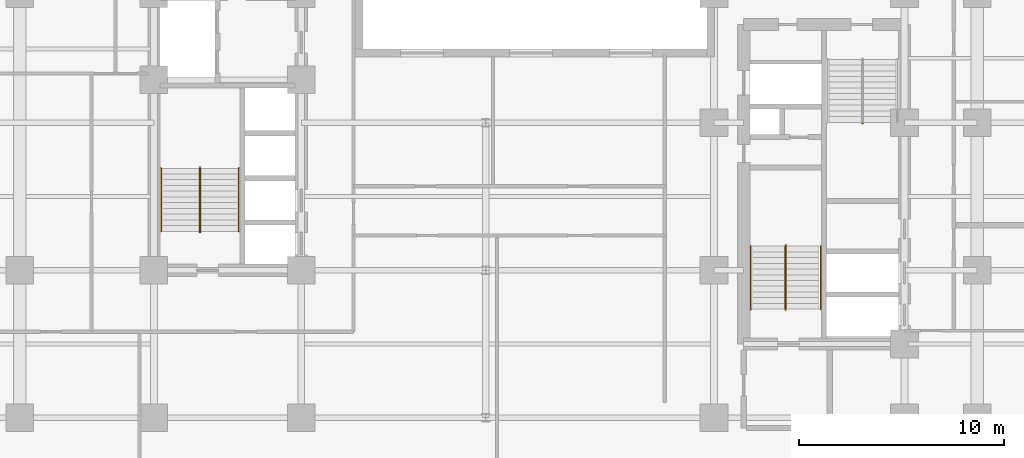
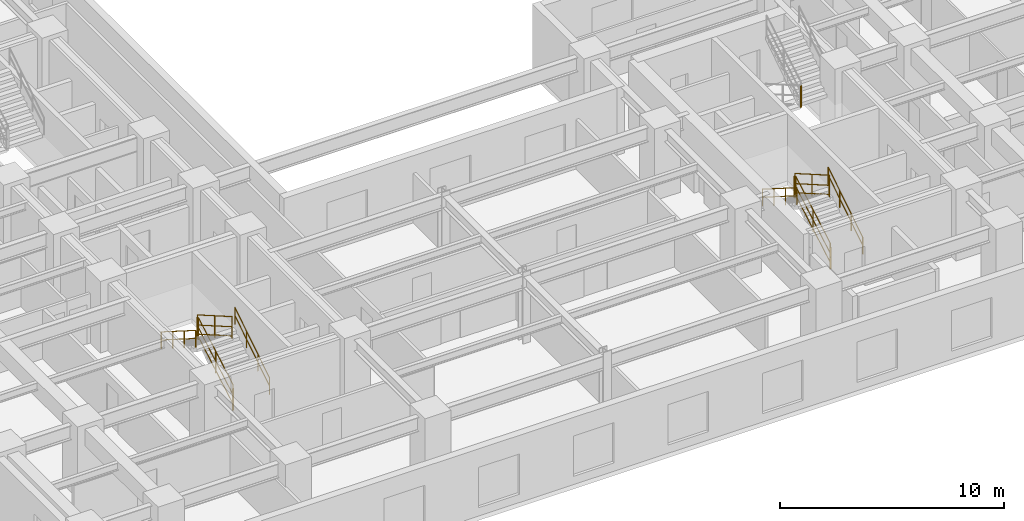
# One storey, part 7 of 9: 13 railings.
"""IFC4 building model written with IfcOpenShell, lengths in metres."""

from ifc_helpers import new_model, entity, si_unit, converted_unit, direction, frame, origin_with_axes, origin_2d_with_axis, place, context, subcontext, project, spatial, rectangle, circle, extrude, material, type_object, element, save


model = new_model("IFC4")

# Units and contexts
model_context = context("Model", 3, precision=1e-05, world=origin_with_axes(), true_north=direction((0.0, 1.0)))
body_context = subcontext(model_context, "Body", "Model", "MODEL_VIEW")
ifc_project = project(units=[si_unit("LENGTHUNIT", "METRE"), si_unit("AREAUNIT", "SQUARE_METRE"), si_unit("VOLUMEUNIT", "CUBIC_METRE"), converted_unit("PLANEANGLEUNIT", "DEGREE", entity("IfcPlaneAngleMeasure", 0.017453292519943295), si_unit("PLANEANGLEUNIT", "RADIAN"), dimensions=[0, 0, 0, 0, 0, 0, 0]), si_unit("MASSUNIT", "GRAM", prefix="KILO"), si_unit("THERMODYNAMICTEMPERATUREUNIT", "KELVIN")], contexts=[model_context])

# Site, building, storey
site_placement = place(None, origin_with_axes())
site = spatial("IfcSite", under=ifc_project, at=site_placement, CompositionType="ELEMENT")
building_placement = place(site_placement, origin_with_axes())
building = spatial("IfcBuilding", under=site, at=building_placement, Name="Varnlund Millrace Tower", CompositionType="ELEMENT")
storey_placement = place(building_placement, frame((0.0, 0.0, 32.7), z_axis=(0.0, 0.0, 1.0), x_axis=(1.0, 0.0, 0.0)))
storey = spatial("IfcBuildingStorey", under=building, at=storey_placement, Name="L07", CompositionType="ELEMENT", Elevation=32.7)

# Railings
ifc_material_1 = material(Name="Painted steel stair well balustrade guard", Category="steel")
railing_type_1 = type_object("IfcRailingType", Name="Type-StairGuard-1150", PredefinedType="GUARDRAIL", material=ifc_material_1)
railing_1_placement = place(storey_placement, frame((0.0, 0.0, -32.7), z_axis=(0.0, 0.0, 1.0), x_axis=(1.0, 0.0, 0.0)))
element("IfcRailing", 1, at=railing_1_placement, inside=storey, type_object=railing_type_1, Name="Type-StairGuard-1150", PredefinedType="GUARDRAIL", context=body_context, shape_type="SweptSolid", body=[
    extrude(circle(Radius=0.024, at=origin_2d_with_axis()), frame((13.675, 12.7, 34.027273), z_axis=(0.0, 0.866696, 0.498836), x_axis=(-1.0, 0.0, 0.0)), (0.0, 0.0, 1.0), 3.553725),
    extrude(circle(Radius=0.024, at=origin_2d_with_axis()), frame((13.675, 12.7, 32.977273), z_axis=(0.0, 0.866696, 0.498836), x_axis=(-1.0, 0.0, 0.0)), (0.0, 0.0, 1.0), 3.553725),
    extrude(circle(Radius=0.024, at=origin_2d_with_axis()), frame((13.675, 12.7, 33.475273), z_axis=(0.0, 0.866696, 0.498836), x_axis=(-1.0, 0.0, 0.0)), (0.0, 0.0, 1.0), 3.553725),
    extrude(rectangle(XDim=0.04, YDim=0.04, at=origin_2d_with_axis()), frame((13.675, 12.7, 32.837273), z_axis=(0.0, 0.0, 1.0), x_axis=(1.0, 0.0, 0.0)), (0.0, 0.0, 1.0), 1.19),
    extrude(rectangle(XDim=0.04, YDim=0.04, at=origin_2d_with_axis()), frame((13.675, 14.24, 33.723637), z_axis=(0.0, 0.0, 1.0), x_axis=(1.0, 0.0, 0.0)), (0.0, 0.0, 1.0), 1.19),
    extrude(rectangle(XDim=0.04, YDim=0.04, at=origin_2d_with_axis()), frame((13.675, 15.78, 34.61), z_axis=(0.0, 0.0, 1.0), x_axis=(1.0, 0.0, 0.0)), (0.0, 0.0, 1.0), 1.19),
])
railing_2_placement = place(storey_placement, frame((0.0, 0.0, -32.7), z_axis=(0.0, 0.0, 1.0), x_axis=(1.0, 0.0, 0.0)))
element("IfcRailing", 2, at=railing_2_placement, inside=storey, type_object=railing_type_1, Name="Type-StairGuard-1150", PredefinedType="GUARDRAIL", context=body_context, shape_type="SweptSolid", body=[
    extrude(circle(Radius=0.024, at=origin_2d_with_axis()), frame((13.625, 15.83, 35.8), z_axis=(1.0, 0.0, 0.0), x_axis=(0.0, 1.0, 0.0)), (0.0, 0.0, 1.0), 0.05),
    extrude(circle(Radius=0.024, at=origin_2d_with_axis()), frame((13.625, 15.83, 34.75), z_axis=(1.0, 0.0, 0.0), x_axis=(0.0, 1.0, 0.0)), (0.0, 0.0, 1.0), 0.05),
    extrude(circle(Radius=0.024, at=origin_2d_with_axis()), frame((13.625, 15.83, 35.248), z_axis=(1.0, 0.0, 0.0), x_axis=(0.0, 1.0, 0.0)), (0.0, 0.0, 1.0), 0.05),
    extrude(rectangle(XDim=0.04, YDim=0.04, at=origin_2d_with_axis()), frame((13.625, 15.83, 34.61), z_axis=(0.0, 0.0, 1.0), x_axis=(1.0, 0.0, 0.0)), (0.0, 0.0, 1.0), 1.19),
    extrude(rectangle(XDim=0.04, YDim=0.04, at=origin_2d_with_axis()), frame((13.675, 15.83, 34.61), z_axis=(0.0, 0.0, 1.0), x_axis=(1.0, 0.0, 0.0)), (0.0, 0.0, 1.0), 1.19),
])
railing_3_placement = place(storey_placement, frame((0.0, 0.0, -32.7), z_axis=(0.0, 0.0, 1.0), x_axis=(1.0, 0.0, 0.0)))
element("IfcRailing", 3, at=railing_3_placement, inside=storey, type_object=railing_type_1, Name="Type-StairGuard-1150", PredefinedType="GUARDRAIL", context=body_context, shape_type="SweptSolid", body=[
    extrude(circle(Radius=0.024, at=origin_2d_with_axis()), frame((13.625, 15.78, 35.977273), z_axis=(0.0, -0.866696, 0.498836), x_axis=(1.0, 0.0, 0.0)), (0.0, 0.0, 1.0), 3.553725),
    extrude(circle(Radius=0.024, at=origin_2d_with_axis()), frame((13.625, 15.78, 34.927273), z_axis=(0.0, -0.866696, 0.498836), x_axis=(1.0, 0.0, 0.0)), (0.0, 0.0, 1.0), 3.553725),
    extrude(circle(Radius=0.024, at=origin_2d_with_axis()), frame((13.625, 15.78, 35.425273), z_axis=(0.0, -0.866696, 0.498836), x_axis=(1.0, 0.0, 0.0)), (0.0, 0.0, 1.0), 3.553725),
    extrude(rectangle(XDim=0.04, YDim=0.04, at=origin_2d_with_axis()), frame((13.625, 15.78, 34.787273), z_axis=(0.0, 0.0, 1.0), x_axis=(1.0, 0.0, 0.0)), (0.0, 0.0, 1.0), 1.19),
    extrude(rectangle(XDim=0.04, YDim=0.04, at=origin_2d_with_axis()), frame((13.625, 14.24, 35.673636), z_axis=(0.0, 0.0, 1.0), x_axis=(1.0, 0.0, 0.0)), (0.0, 0.0, 1.0), 1.19),
    extrude(rectangle(XDim=0.04, YDim=0.04, at=origin_2d_with_axis()), frame((13.625, 12.7, 36.56), z_axis=(0.0, 0.0, 1.0), x_axis=(1.0, 0.0, 0.0)), (0.0, 0.0, 1.0), 1.19),
])
railing_4_placement = place(storey_placement, frame((0.0, 0.0, -32.7), z_axis=(0.0, 0.0, 1.0), x_axis=(1.0, 0.0, 0.0)))
element("IfcRailing", 4, at=railing_4_placement, inside=storey, type_object=railing_type_1, Name="Type-StairGuard-1150", PredefinedType="GUARDRAIL", context=body_context, shape_type="SweptSolid", body=[
    extrude(circle(Radius=0.024, at=origin_2d_with_axis()), frame((13.625, 12.65, 33.85), z_axis=(1.0, 0.0, 0.0), x_axis=(0.0, 1.0, 0.0)), (0.0, 0.0, 1.0), 0.05),
    extrude(circle(Radius=0.024, at=origin_2d_with_axis()), frame((13.625, 12.65, 32.8), z_axis=(1.0, 0.0, 0.0), x_axis=(0.0, 1.0, 0.0)), (0.0, 0.0, 1.0), 0.05),
    extrude(circle(Radius=0.024, at=origin_2d_with_axis()), frame((13.625, 12.65, 33.298), z_axis=(1.0, 0.0, 0.0), x_axis=(0.0, 1.0, 0.0)), (0.0, 0.0, 1.0), 0.05),
    extrude(rectangle(XDim=0.04, YDim=0.04, at=origin_2d_with_axis()), frame((13.625, 12.65, 32.66), z_axis=(0.0, 0.0, 1.0), x_axis=(1.0, 0.0, 0.0)), (0.0, 0.0, 1.0), 1.19),
    extrude(rectangle(XDim=0.04, YDim=0.04, at=origin_2d_with_axis()), frame((13.675, 12.65, 32.66), z_axis=(0.0, 0.0, 1.0), x_axis=(1.0, 0.0, 0.0)), (0.0, 0.0, 1.0), 1.19),
])
railing_5_placement = place(storey_placement, frame((0.0, 0.0, -32.7), z_axis=(0.0, 0.0, 1.0), x_axis=(1.0, 0.0, 0.0)))
element("IfcRailing", 5, at=railing_5_placement, inside=storey, type_object=railing_type_1, Name="Type-StairGuard-1150", PredefinedType="GUARDRAIL", context=body_context, shape_type="SweptSolid", body=[
    extrude(circle(Radius=0.024, at=origin_2d_with_axis()), frame((42.275, 8.9, 34.027273), z_axis=(0.0, 0.866696, 0.498836), x_axis=(-1.0, 0.0, 0.0)), (0.0, 0.0, 1.0), 3.553725),
    extrude(circle(Radius=0.024, at=origin_2d_with_axis()), frame((42.275, 8.9, 32.977273), z_axis=(0.0, 0.866696, 0.498836), x_axis=(-1.0, 0.0, 0.0)), (0.0, 0.0, 1.0), 3.553725),
    extrude(circle(Radius=0.024, at=origin_2d_with_axis()), frame((42.275, 8.9, 33.475273), z_axis=(0.0, 0.866696, 0.498836), x_axis=(-1.0, 0.0, 0.0)), (0.0, 0.0, 1.0), 3.553725),
    extrude(rectangle(XDim=0.04, YDim=0.04, at=origin_2d_with_axis()), frame((42.275, 8.9, 32.837273), z_axis=(0.0, 0.0, 1.0), x_axis=(1.0, 0.0, 0.0)), (0.0, 0.0, 1.0), 1.19),
    extrude(rectangle(XDim=0.04, YDim=0.04, at=origin_2d_with_axis()), frame((42.275, 10.44, 33.723637), z_axis=(0.0, 0.0, 1.0), x_axis=(1.0, 0.0, 0.0)), (0.0, 0.0, 1.0), 1.19),
    extrude(rectangle(XDim=0.04, YDim=0.04, at=origin_2d_with_axis()), frame((42.275, 11.98, 34.61), z_axis=(0.0, 0.0, 1.0), x_axis=(1.0, 0.0, 0.0)), (0.0, 0.0, 1.0), 1.19),
])
railing_6_placement = place(storey_placement, frame((0.0, 0.0, -32.7), z_axis=(0.0, 0.0, 1.0), x_axis=(1.0, 0.0, 0.0)))
element("IfcRailing", 6, at=railing_6_placement, inside=storey, type_object=railing_type_1, Name="Type-StairGuard-1150", PredefinedType="GUARDRAIL", context=body_context, shape_type="SweptSolid", body=[
    extrude(circle(Radius=0.024, at=origin_2d_with_axis()), frame((42.225, 12.03, 35.8), z_axis=(1.0, 0.0, 0.0), x_axis=(0.0, 1.0, 0.0)), (0.0, 0.0, 1.0), 0.05),
    extrude(circle(Radius=0.024, at=origin_2d_with_axis()), frame((42.225, 12.03, 34.75), z_axis=(1.0, 0.0, 0.0), x_axis=(0.0, 1.0, 0.0)), (0.0, 0.0, 1.0), 0.05),
    extrude(circle(Radius=0.024, at=origin_2d_with_axis()), frame((42.225, 12.03, 35.248), z_axis=(1.0, 0.0, 0.0), x_axis=(0.0, 1.0, 0.0)), (0.0, 0.0, 1.0), 0.05),
    extrude(rectangle(XDim=0.04, YDim=0.04, at=origin_2d_with_axis()), frame((42.225, 12.03, 34.61), z_axis=(0.0, 0.0, 1.0), x_axis=(1.0, 0.0, 0.0)), (0.0, 0.0, 1.0), 1.19),
    extrude(rectangle(XDim=0.04, YDim=0.04, at=origin_2d_with_axis()), frame((42.275, 12.03, 34.61), z_axis=(0.0, 0.0, 1.0), x_axis=(1.0, 0.0, 0.0)), (0.0, 0.0, 1.0), 1.19),
])
railing_7_placement = place(storey_placement, frame((0.0, 0.0, -32.7), z_axis=(0.0, 0.0, 1.0), x_axis=(1.0, 0.0, 0.0)))
element("IfcRailing", 7, at=railing_7_placement, inside=storey, type_object=railing_type_1, Name="Type-StairGuard-1150", PredefinedType="GUARDRAIL", context=body_context, shape_type="SweptSolid", body=[
    extrude(circle(Radius=0.024, at=origin_2d_with_axis()), frame((42.225, 11.98, 35.977273), z_axis=(0.0, -0.866696, 0.498836), x_axis=(1.0, 0.0, 0.0)), (0.0, 0.0, 1.0), 3.553725),
    extrude(circle(Radius=0.024, at=origin_2d_with_axis()), frame((42.225, 11.98, 34.927273), z_axis=(0.0, -0.866696, 0.498836), x_axis=(1.0, 0.0, 0.0)), (0.0, 0.0, 1.0), 3.553725),
    extrude(circle(Radius=0.024, at=origin_2d_with_axis()), frame((42.225, 11.98, 35.425273), z_axis=(0.0, -0.866696, 0.498836), x_axis=(1.0, 0.0, 0.0)), (0.0, 0.0, 1.0), 3.553725),
    extrude(rectangle(XDim=0.04, YDim=0.04, at=origin_2d_with_axis()), frame((42.225, 11.98, 34.787273), z_axis=(0.0, 0.0, 1.0), x_axis=(1.0, 0.0, 0.0)), (0.0, 0.0, 1.0), 1.19),
    extrude(rectangle(XDim=0.04, YDim=0.04, at=origin_2d_with_axis()), frame((42.225, 10.44, 35.673636), z_axis=(0.0, 0.0, 1.0), x_axis=(1.0, 0.0, 0.0)), (0.0, 0.0, 1.0), 1.19),
    extrude(rectangle(XDim=0.04, YDim=0.04, at=origin_2d_with_axis()), frame((42.225, 8.9, 36.56), z_axis=(0.0, 0.0, 1.0), x_axis=(1.0, 0.0, 0.0)), (0.0, 0.0, 1.0), 1.19),
])
railing_8_placement = place(storey_placement, frame((0.0, 0.0, -32.7), z_axis=(0.0, 0.0, 1.0), x_axis=(1.0, 0.0, 0.0)))
element("IfcRailing", 8, at=railing_8_placement, inside=storey, type_object=railing_type_1, Name="Type-StairGuard-1150", PredefinedType="GUARDRAIL", context=body_context, shape_type="SweptSolid", body=[
    extrude(circle(Radius=0.024, at=origin_2d_with_axis()), frame((42.225, 8.85, 33.85), z_axis=(1.0, 0.0, 0.0), x_axis=(0.0, 1.0, 0.0)), (0.0, 0.0, 1.0), 0.05),
    extrude(circle(Radius=0.024, at=origin_2d_with_axis()), frame((42.225, 8.85, 32.8), z_axis=(1.0, 0.0, 0.0), x_axis=(0.0, 1.0, 0.0)), (0.0, 0.0, 1.0), 0.05),
    extrude(circle(Radius=0.024, at=origin_2d_with_axis()), frame((42.225, 8.85, 33.298), z_axis=(1.0, 0.0, 0.0), x_axis=(0.0, 1.0, 0.0)), (0.0, 0.0, 1.0), 0.05),
    extrude(rectangle(XDim=0.04, YDim=0.04, at=origin_2d_with_axis()), frame((42.225, 8.85, 32.66), z_axis=(0.0, 0.0, 1.0), x_axis=(1.0, 0.0, 0.0)), (0.0, 0.0, 1.0), 1.19),
    extrude(rectangle(XDim=0.04, YDim=0.04, at=origin_2d_with_axis()), frame((42.275, 8.85, 32.66), z_axis=(0.0, 0.0, 1.0), x_axis=(1.0, 0.0, 0.0)), (0.0, 0.0, 1.0), 1.19),
])
railing_9_placement = place(storey_placement, frame((0.0, 0.0, -32.7), z_axis=(0.0, 0.0, 1.0), x_axis=(1.0, 0.0, 0.0)))
element("IfcRailing", 9, at=railing_9_placement, inside=storey, type_object=railing_type_1, Name="Type-StairGuard-1150", PredefinedType="GUARDRAIL", context=body_context, shape_type="SweptSolid", body=[
    extrude(circle(Radius=0.024, at=origin_2d_with_axis()), frame((46.025, 17.97, 35.8), z_axis=(-1.0, 0.0, 0.0), x_axis=(0.0, -1.0, 0.0)), (0.0, 0.0, 1.0), 0.05),
    extrude(circle(Radius=0.024, at=origin_2d_with_axis()), frame((46.025, 17.97, 34.75), z_axis=(-1.0, 0.0, 0.0), x_axis=(0.0, -1.0, 0.0)), (0.0, 0.0, 1.0), 0.05),
    extrude(circle(Radius=0.024, at=origin_2d_with_axis()), frame((46.025, 17.97, 35.248), z_axis=(-1.0, 0.0, 0.0), x_axis=(0.0, -1.0, 0.0)), (0.0, 0.0, 1.0), 0.05),
    extrude(rectangle(XDim=0.04, YDim=0.04, at=origin_2d_with_axis()), frame((46.025, 17.97, 34.61), z_axis=(0.0, 0.0, 1.0), x_axis=(1.0, 0.0, 0.0)), (0.0, 0.0, 1.0), 1.19),
    extrude(rectangle(XDim=0.04, YDim=0.04, at=origin_2d_with_axis()), frame((45.975, 17.97, 34.61), z_axis=(0.0, 0.0, 1.0), x_axis=(1.0, 0.0, 0.0)), (0.0, 0.0, 1.0), 1.19),
])
ifc_material_2 = material(Name="Brushed architectural bronze stair handrail", Category="aluminium")
railing_type_2 = type_object("IfcRailingType", Name="Type-StairHandrail-900", PredefinedType="HANDRAIL", material=ifc_material_2)
railing_10_placement = place(storey_placement, frame((0.0, 0.0, -32.7), z_axis=(0.0, 0.0, 1.0), x_axis=(1.0, 0.0, 0.0)))
element("IfcRailing", 10, at=railing_10_placement, inside=storey, type_object=railing_type_2, Name="Type-StairHandrail-900", PredefinedType="HANDRAIL", context=body_context, shape_type="SweptSolid", body=[
    extrude(circle(Radius=0.024, at=origin_2d_with_axis()), frame((15.55, 12.7, 33.756995), z_axis=(0.0, 0.844902, 0.534922), x_axis=(-1.0, 0.0, 0.0)), (0.0, 0.0, 1.0), 3.645394),
    extrude(circle(Radius=0.024, at=origin_2d_with_axis()), frame((15.55, 12.7, 33.317134), z_axis=(0.0, 0.844902, 0.534922), x_axis=(-1.0, 0.0, 0.0)), (0.0, 0.0, 1.0), 3.645394),
    extrude(rectangle(XDim=0.04, YDim=0.04, at=origin_2d_with_axis()), frame((15.55, 12.7, 32.837273), z_axis=(0.0, 0.0, 1.0), x_axis=(1.0, 0.0, 0.0)), (0.0, 0.0, 1.0), 0.919722),
    extrude(rectangle(XDim=0.04, YDim=0.04, at=origin_2d_with_axis()), frame((15.55, 13.726667, 33.487273), z_axis=(0.0, 0.0, 1.0), x_axis=(1.0, 0.0, 0.0)), (0.0, 0.0, 1.0), 0.919722),
    extrude(rectangle(XDim=0.04, YDim=0.04, at=origin_2d_with_axis()), frame((15.55, 14.753333, 34.137273), z_axis=(0.0, 0.0, 1.0), x_axis=(1.0, 0.0, 0.0)), (0.0, 0.0, 1.0), 0.919722),
    extrude(rectangle(XDim=0.04, YDim=0.04, at=origin_2d_with_axis()), frame((15.55, 15.78, 34.787273), z_axis=(0.0, 0.0, 1.0), x_axis=(1.0, 0.0, 0.0)), (0.0, 0.0, 1.0), 0.919722),
])
railing_11_placement = place(storey_placement, frame((0.0, 0.0, -32.7), z_axis=(0.0, 0.0, 1.0), x_axis=(1.0, 0.0, 0.0)))
element("IfcRailing", 11, at=railing_11_placement, inside=storey, type_object=railing_type_2, Name="Type-StairHandrail-900", PredefinedType="HANDRAIL", context=body_context, shape_type="SweptSolid", body=[
    extrude(circle(Radius=0.024, at=origin_2d_with_axis()), frame((11.75, 15.78, 35.706995), z_axis=(0.0, -0.844902, 0.534922), x_axis=(1.0, 0.0, 0.0)), (0.0, 0.0, 1.0), 3.645394),
    extrude(circle(Radius=0.024, at=origin_2d_with_axis()), frame((11.75, 15.78, 35.267134), z_axis=(0.0, -0.844902, 0.534922), x_axis=(1.0, 0.0, 0.0)), (0.0, 0.0, 1.0), 3.645394),
    extrude(rectangle(XDim=0.04, YDim=0.04, at=origin_2d_with_axis()), frame((11.75, 15.78, 34.787273), z_axis=(0.0, 0.0, 1.0), x_axis=(1.0, 0.0, 0.0)), (0.0, 0.0, 1.0), 0.919722),
    extrude(rectangle(XDim=0.04, YDim=0.04, at=origin_2d_with_axis()), frame((11.75, 14.753333, 35.437273), z_axis=(0.0, 0.0, 1.0), x_axis=(1.0, 0.0, 0.0)), (0.0, 0.0, 1.0), 0.919722),
    extrude(rectangle(XDim=0.04, YDim=0.04, at=origin_2d_with_axis()), frame((11.75, 13.726667, 36.087273), z_axis=(0.0, 0.0, 1.0), x_axis=(1.0, 0.0, 0.0)), (0.0, 0.0, 1.0), 0.919722),
    extrude(rectangle(XDim=0.04, YDim=0.04, at=origin_2d_with_axis()), frame((11.75, 12.7, 36.737273), z_axis=(0.0, 0.0, 1.0), x_axis=(1.0, 0.0, 0.0)), (0.0, 0.0, 1.0), 0.919722),
])
railing_12_placement = place(storey_placement, frame((0.0, 0.0, -32.7), z_axis=(0.0, 0.0, 1.0), x_axis=(1.0, 0.0, 0.0)))
element("IfcRailing", 12, at=railing_12_placement, inside=storey, type_object=railing_type_2, Name="Type-StairHandrail-900", PredefinedType="HANDRAIL", context=body_context, shape_type="SweptSolid", body=[
    extrude(circle(Radius=0.024, at=origin_2d_with_axis()), frame((43.95, 8.9, 33.756995), z_axis=(0.0, 0.844902, 0.534922), x_axis=(-1.0, 0.0, 0.0)), (0.0, 0.0, 1.0), 3.645394),
    extrude(circle(Radius=0.024, at=origin_2d_with_axis()), frame((43.95, 8.9, 33.317134), z_axis=(0.0, 0.844902, 0.534922), x_axis=(-1.0, 0.0, 0.0)), (0.0, 0.0, 1.0), 3.645394),
    extrude(rectangle(XDim=0.04, YDim=0.04, at=origin_2d_with_axis()), frame((43.95, 8.9, 32.837273), z_axis=(0.0, 0.0, 1.0), x_axis=(1.0, 0.0, 0.0)), (0.0, 0.0, 1.0), 0.919722),
    extrude(rectangle(XDim=0.04, YDim=0.04, at=origin_2d_with_axis()), frame((43.95, 9.926667, 33.487273), z_axis=(0.0, 0.0, 1.0), x_axis=(1.0, 0.0, 0.0)), (0.0, 0.0, 1.0), 0.919722),
    extrude(rectangle(XDim=0.04, YDim=0.04, at=origin_2d_with_axis()), frame((43.95, 10.953333, 34.137273), z_axis=(0.0, 0.0, 1.0), x_axis=(1.0, 0.0, 0.0)), (0.0, 0.0, 1.0), 0.919722),
    extrude(rectangle(XDim=0.04, YDim=0.04, at=origin_2d_with_axis()), frame((43.95, 11.98, 34.787273), z_axis=(0.0, 0.0, 1.0), x_axis=(1.0, 0.0, 0.0)), (0.0, 0.0, 1.0), 0.919722),
])
railing_13_placement = place(storey_placement, frame((0.0, 0.0, -32.7), z_axis=(0.0, 0.0, 1.0), x_axis=(1.0, 0.0, 0.0)))
element("IfcRailing", 13, at=railing_13_placement, inside=storey, type_object=railing_type_2, Name="Type-StairHandrail-900", PredefinedType="HANDRAIL", context=body_context, shape_type="SweptSolid", body=[
    extrude(circle(Radius=0.024, at=origin_2d_with_axis()), frame((40.55, 11.98, 35.706995), z_axis=(0.0, -0.844902, 0.534922), x_axis=(1.0, 0.0, 0.0)), (0.0, 0.0, 1.0), 3.645394),
    extrude(circle(Radius=0.024, at=origin_2d_with_axis()), frame((40.55, 11.98, 35.267134), z_axis=(0.0, -0.844902, 0.534922), x_axis=(1.0, 0.0, 0.0)), (0.0, 0.0, 1.0), 3.645394),
    extrude(rectangle(XDim=0.04, YDim=0.04, at=origin_2d_with_axis()), frame((40.55, 11.98, 34.787273), z_axis=(0.0, 0.0, 1.0), x_axis=(1.0, 0.0, 0.0)), (0.0, 0.0, 1.0), 0.919722),
    extrude(rectangle(XDim=0.04, YDim=0.04, at=origin_2d_with_axis()), frame((40.55, 10.953333, 35.437273), z_axis=(0.0, 0.0, 1.0), x_axis=(1.0, 0.0, 0.0)), (0.0, 0.0, 1.0), 0.919722),
    extrude(rectangle(XDim=0.04, YDim=0.04, at=origin_2d_with_axis()), frame((40.55, 9.926667, 36.087273), z_axis=(0.0, 0.0, 1.0), x_axis=(1.0, 0.0, 0.0)), (0.0, 0.0, 1.0), 0.919722),
    extrude(rectangle(XDim=0.04, YDim=0.04, at=origin_2d_with_axis()), frame((40.55, 8.9, 36.737273), z_axis=(0.0, 0.0, 1.0), x_axis=(1.0, 0.0, 0.0)), (0.0, 0.0, 1.0), 0.919722),
])

save(model, "model.ifc")
